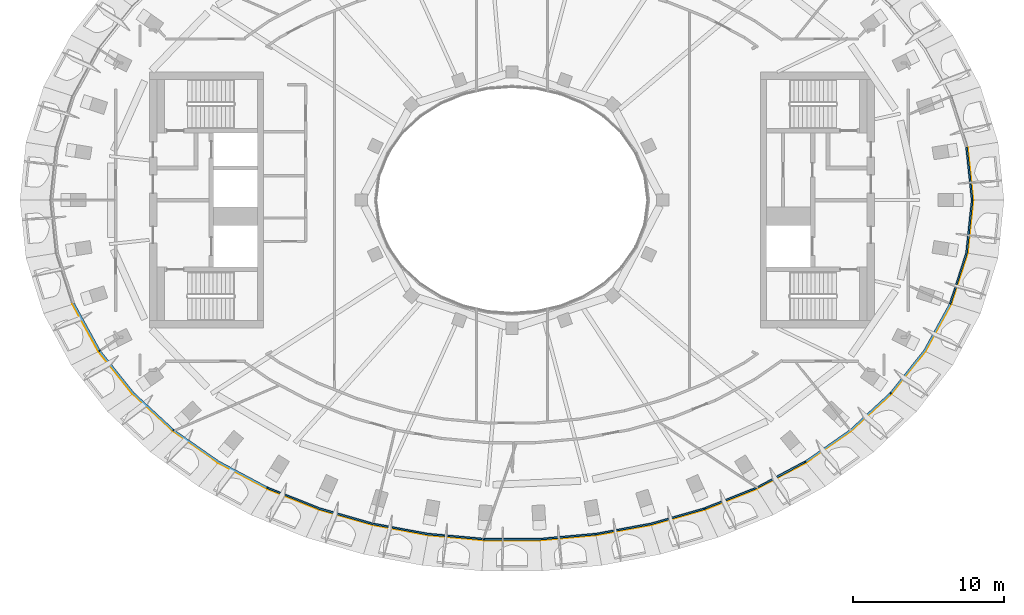
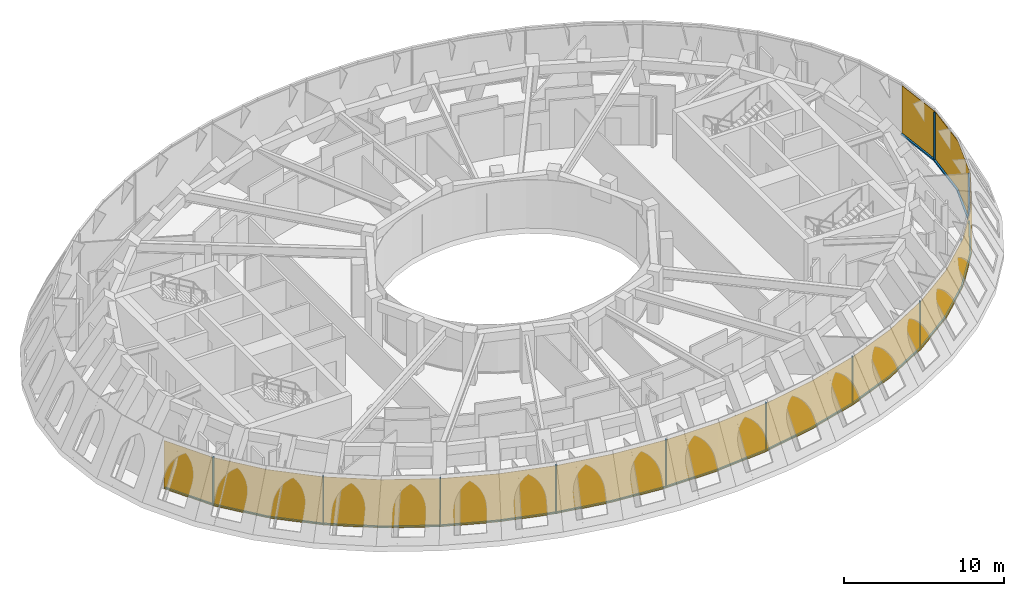
# One storey, part 9 of 13: 23 members, 1 curtain wall.
"""IFC4 building model written with IfcOpenShell, lengths in metres."""

from ifc_helpers import new_model, si_unit, direction, frame, origin, origin_2d, place, context, subcontext, project, spatial, polyline, rectangle, outline, extrude, material, layer, layer_set, material_profile, profile_set, type_object, element, aggregate, save


model = new_model("IFC4")

# Units and contexts
model_context = context("Model", 3, precision=1e-05, world=origin(), true_north=direction((0.0, 1.0)))
body_context = subcontext(model_context, "Body", "Model", "MODEL_VIEW")
ifc_project = project(units=[si_unit("LENGTHUNIT", "METRE"), si_unit("AREAUNIT", "SQUARE_METRE"), si_unit("VOLUMEUNIT", "CUBIC_METRE"), si_unit("PLANEANGLEUNIT", "RADIAN"), si_unit("MASSUNIT", "GRAM", prefix="KILO")], contexts=[model_context])

# Member
ifc_material_1 = material(Name="Aluminium 6063-T6 black anodised", Category="aluminium")
ifc_material_profile = material_profile(ifc_material_1, rectangle(XDim=0.1201171875, YDim=0.06005859375, at=origin_2d()), Name="120x60")
ifc_profile_set = profile_set([ifc_material_profile], Name="Aluminium 6063-T6 black anodised")
member_type_1 = type_object("IfcMemberType", Name="ENV-MULLION-H-120", PredefinedType="MULLION", material=ifc_profile_set)
site_placement = place(None, origin())
building_placement = place(site_placement, origin())
storey_placement = place(building_placement, frame((0.0, 0.0, 347.0)))
member_1_placement = place(storey_placement, frame((-27.377197265625, -10.00390625, 0.0), z_axis=(0.0, 0.0, 1.0), x_axis=(0.832258320098, 0.55438803074, 0.0)))
member_1 = element("IfcMember", 1, at=member_1_placement, type_object=member_type_1, Name="Mullion H radial 27", PredefinedType="MULLION", context=body_context, shape_type="SweptSolid", body=[
    extrude(rectangle(XDim=0.1201171875, YDim=0.06005859375, at=origin_2d()), origin(), (0.0, 0.0, 1.0), 3.699951171875),
])

member_2_placement = place(storey_placement, frame((-22.466064453125, -15.2783203125, 0.0), z_axis=(0.0, 0.0, 1.0), x_axis=(0.627226636309, 0.778836790801, 0.0)))
member_2 = element("IfcMember", 2, at=member_2_placement, type_object=member_type_1, Name="Mullion H radial 29", PredefinedType="MULLION", context=body_context, shape_type="SweptSolid", body=[
    extrude(rectangle(XDim=0.1201171875, YDim=0.06005859375, at=origin_2d()), origin(), (0.0, 0.0, 1.0), 3.699951171875),
])

member_3_placement = place(storey_placement, frame((-16.22509765625, -19.10498046875, 0.0), z_axis=(0.0, 0.0, 1.0), x_axis=(0.421378072232, 0.906885064516, 0.0)))
member_3 = element("IfcMember", 3, at=member_3_placement, type_object=member_type_1, Name="Mullion H radial 31", PredefinedType="MULLION", context=body_context, shape_type="SweptSolid", body=[
    extrude(rectangle(XDim=0.1201171875, YDim=0.06005859375, at=origin_2d()), origin(), (0.0, 0.0, 1.0), 3.699951171875),
])

member_4_placement = place(storey_placement, frame((-9.226806640625, -21.49560546875, 0.0), z_axis=(0.0, 0.0, 1.0), x_axis=(0.228510586418, 0.97354142793, 0.0)))
member_4 = element("IfcMember", 4, at=member_4_placement, type_object=member_type_1, Name="Mullion H radial 33", PredefinedType="MULLION", context=body_context, shape_type="SweptSolid", body=[
    extrude(rectangle(XDim=0.1201171875, YDim=0.06005859375, at=origin_2d()), origin(), (0.0, 0.0, 1.0), 3.699951171875),
])

member_5_placement = place(storey_placement, frame((-1.862548828125, -22.507080078125, 0.0), z_axis=(0.0, 0.0, 1.0), x_axis=(0.045196318723, 0.998978124272, 0.0)))
member_5 = element("IfcMember", 5, at=member_5_placement, type_object=member_type_1, Name="Mullion H radial 35", PredefinedType="MULLION", context=body_context, shape_type="SweptSolid", body=[
    extrude(rectangle(XDim=0.1201171875, YDim=0.06005859375, at=origin_2d()), origin(), (0.0, 0.0, 1.0), 3.699951171875),
])

member_6_placement = place(storey_placement, frame((5.570556640625, -22.1708984375, 0.0), z_axis=(0.0, 0.0, 1.0), x_axis=(-0.136098520291, 0.990695307738, 0.0)))
member_6 = element("IfcMember", 6, at=member_6_placement, type_object=member_type_1, Name="Mullion H radial 37", PredefinedType="MULLION", context=body_context, shape_type="SweptSolid", body=[
    extrude(rectangle(XDim=0.1201171875, YDim=0.06005859375, at=origin_2d()), origin(), (0.0, 0.0, 1.0), 3.699951171875),
])

member_7_placement = place(storey_placement, frame((12.79296875, -20.47607421875, 0.0), z_axis=(0.0, 0.0, 1.0), x_axis=(-0.323358589066, 0.946276504452, 0.0)))
member_7 = element("IfcMember", 7, at=member_7_placement, type_object=member_type_1, Name="Mullion H radial 39", PredefinedType="MULLION", context=body_context, shape_type="SweptSolid", body=[
    extrude(rectangle(XDim=0.1201171875, YDim=0.06005859375, at=origin_2d()), origin(), (0.0, 0.0, 1.0), 3.699951171875),
])

member_8_placement = place(storey_placement, frame((19.470703125, -17.37451171875, 0.0), z_axis=(0.0, 0.0, 1.0), x_axis=(-0.522870075085, 0.852412391147, 0.0)))
member_8 = element("IfcMember", 8, at=member_8_placement, type_object=member_type_1, Name="Mullion H radial 41", PredefinedType="MULLION", context=body_context, shape_type="SweptSolid", body=[
    extrude(rectangle(XDim=0.1201171875, YDim=0.06005859375, at=origin_2d()), origin(), (0.0, 0.0, 1.0), 3.699951171875),
])

member_9_placement = place(storey_placement, frame((25.1328125, -12.81689453125, 0.0), z_axis=(0.0, 0.0, 1.0), x_axis=(-0.732106020087, 0.6811907041, 0.0)))
member_9 = element("IfcMember", 9, at=member_9_placement, type_object=member_type_1, Name="Mullion H radial 43", PredefinedType="MULLION", context=body_context, shape_type="SweptSolid", body=[
    extrude(rectangle(XDim=0.1201171875, YDim=0.06005859375, at=origin_2d()), origin(), (0.0, 0.0, 1.0), 3.699951171875),
])

member_10_placement = place(storey_placement, frame((29.093505859375, -6.876220703125, 0.0), z_axis=(0.0, 0.0, 1.0), x_axis=(-0.91850908532, 0.39539987378, 0.0)))
member_10 = element("IfcMember", 10, at=member_10_placement, type_object=member_type_1, Name="Mullion H radial 45", PredefinedType="MULLION", context=body_context, shape_type="SweptSolid", body=[
    extrude(rectangle(XDim=0.1201171875, YDim=0.06005859375, at=origin_2d()), origin(), (0.0, 0.0, 1.0), 3.699951171875),
])

member_11_placement = place(storey_placement, frame((30.549072265625, 0.0, 0.0), z_axis=(0.0, 0.0, 1.0), x_axis=(-1.0, 0.0, 0.0)))
member_11 = element("IfcMember", 11, at=member_11_placement, type_object=member_type_1, Name="Mullion H radial 01", PredefinedType="MULLION", context=body_context, shape_type="SweptSolid", body=[
    extrude(rectangle(XDim=0.1201171875, YDim=0.06005859375, at=origin_2d()), origin(), (0.0, 0.0, 1.0), 3.699951171875),
])

ifc_material_2 = material(Name="Aluminium 6063-T6 black anodised", Category="aluminium")
member_type_2 = type_object("IfcMemberType", Name="ENV-TRANSOM-H", PredefinedType="USERDEFINED", material=ifc_material_2)
member_12_placement = place(storey_placement, origin())
member_12 = element("IfcMember", 12, at=member_12_placement, type_object=member_type_2, Name="Transom H radial 26-27", ObjectType="TRANSOM", PredefinedType="USERDEFINED", context=body_context, shape_type="SweptSolid", body=[
    extrude(outline(polyline([(-29.1484375, -6.89990234375), (-27.4404296875, -10.012451171875), (-27.340087890625, -9.94580078125), (-29.03759765625, -6.852294921875), (-29.1484375, -6.89990234375)])), origin(), (0.0, 0.0, 1.0), 0.10009765625),
])

member_13_placement = place(storey_placement, origin())
member_13 = element("IfcMember", 13, at=member_13_placement, type_object=member_type_2, Name="Transom H radial 27-29", ObjectType="TRANSOM", PredefinedType="USERDEFINED", context=body_context, shape_type="SweptSolid", body=[
    extrude(outline(polyline([(-27.409423828125, -10.058837890625), (-25.1767578125, -12.85791015625), (-22.524169921875, -15.30615234375), (-22.44873046875, -15.21240234375), (-25.088623046875, -12.77587890625), (-27.30908203125, -9.9921875), (-27.409423828125, -10.058837890625)])), origin(), (0.0, 0.0, 1.0), 0.10009765625),
])

member_14_placement = place(storey_placement, origin())
member_14 = element("IfcMember", 14, at=member_14_placement, type_object=member_type_2, Name="Transom H radial 29-31", ObjectType="TRANSOM", PredefinedType="USERDEFINED", context=body_context, shape_type="SweptSolid", body=[
    extrude(outline(polyline([(-22.480712890625, -15.341064453125), (-19.501953125, -17.425537109375), (-16.27490234375, -19.146240234375), (-16.224365234375, -19.037109375), (-19.439208984375, -17.322998046875), (-22.4052734375, -15.247314453125), (-22.480712890625, -15.341064453125)])), origin(), (0.0, 0.0, 1.0), 0.10009765625),
])

member_15_placement = place(storey_placement, origin())
member_15 = element("IfcMember", 15, at=member_15_placement, type_object=member_type_2, Name="Transom H radial 31-33", ObjectType="TRANSOM", PredefinedType="USERDEFINED", context=body_context, shape_type="SweptSolid", body=[
    extrude(outline(polyline([(-16.224365234375, -19.169677734375), (-12.812255859375, -20.53271484375), (-9.267578125, -21.54638671875), (-9.239990234375, -21.42919921875), (-12.7734375, -20.419189453125), (-16.173583984375, -19.060791015625), (-16.224365234375, -19.169677734375)])), origin(), (0.0, 0.0, 1.0), 0.10009765625),
])

member_16_placement = place(storey_placement, origin())
member_16 = element("IfcMember", 16, at=member_16_placement, type_object=member_type_2, Name="Transom H radial 33-35", ObjectType="TRANSOM", PredefinedType="USERDEFINED", context=body_context, shape_type="SweptSolid", body=[
    extrude(outline(polyline([(-9.212890625, -21.55908203125), (-5.578857421875, -22.230224609375), (-1.89306640625, -22.564453125), (-1.8876953125, -22.4443359375), (-5.5625, -22.111083984375), (-9.185546875, -21.442138671875), (-9.212890625, -21.55908203125)])), origin(), (0.0, 0.0, 1.0), 0.10009765625),
])

member_17_placement = place(storey_placement, origin())
member_17 = element("IfcMember", 17, at=member_17_placement, type_object=member_type_2, Name="Transom H radial 35-37", ObjectType="TRANSOM", PredefinedType="USERDEFINED", context=body_context, shape_type="SweptSolid", body=[
    extrude(outline(polyline([(-1.83740234375, -22.56689453125), (1.865234375, -22.56689453125), (5.55078125, -22.23291015625), (5.53466796875, -22.11376953125), (1.85986328125, -22.447021484375), (-1.831787109375, -22.447021484375), (-1.83740234375, -22.56689453125)])), origin(), (0.0, 0.0, 1.0), 0.10009765625),
])

member_18_placement = place(storey_placement, origin())
member_18 = element("IfcMember", 18, at=member_18_placement, type_object=member_type_2, Name="Transom H radial 37-39", ObjectType="TRANSOM", PredefinedType="USERDEFINED", context=body_context, shape_type="SweptSolid", body=[
    extrude(outline(polyline([(5.6064453125, -22.22509765625), (9.240478515625, -21.553955078125), (12.785400390625, -20.54052734375), (12.74658203125, -20.4267578125), (9.213134765625, -21.43701171875), (5.590087890625, -22.106201171875), (5.6064453125, -22.22509765625)])), origin(), (0.0, 0.0, 1.0), 0.10009765625),
])

member_19_placement = place(storey_placement, origin())
member_19 = element("IfcMember", 19, at=member_19_placement, type_object=member_type_2, Name="Transom H radial 39-41", ObjectType="TRANSOM", PredefinedType="USERDEFINED", context=body_context, shape_type="SweptSolid", body=[
    extrude(outline(polyline([(12.83837890625, -20.5224609375), (16.250244140625, -19.159423828125), (19.477294921875, -17.438720703125), (19.41455078125, -17.336181640625), (16.19970703125, -19.05029296875), (12.799560546875, -20.40869140625), (12.83837890625, -20.5224609375)])), origin(), (0.0, 0.0, 1.0), 0.10009765625),
])

member_20_placement = place(storey_placement, origin())
member_20 = element("IfcMember", 20, at=member_20_placement, type_object=member_type_2, Name="Transom H radial 41-43", ObjectType="TRANSOM", PredefinedType="USERDEFINED", context=body_context, shape_type="SweptSolid", body=[
    extrude(outline(polyline([(19.52490234375, -17.409423828125), (22.503662109375, -15.324951171875), (25.156005859375, -12.876708984375), (25.068115234375, -12.794921875), (22.42822265625, -15.2314453125), (19.462158203125, -17.306884765625), (19.52490234375, -17.409423828125)])), origin(), (0.0, 0.0, 1.0), 0.10009765625),
])

member_21_placement = place(storey_placement, origin())
member_21 = element("IfcMember", 21, at=member_21_placement, type_object=member_type_2, Name="Transom H radial 43-45", ObjectType="TRANSOM", PredefinedType="USERDEFINED", context=body_context, shape_type="SweptSolid", body=[
    extrude(outline(polyline([(25.194091796875, -12.8359375), (27.427001953125, -10.037109375), (29.135009765625, -6.924560546875), (29.024169921875, -6.876708984375), (27.32666015625, -9.97021484375), (25.10595703125, -12.75390625), (25.194091796875, -12.8359375)])), origin(), (0.0, 0.0, 1.0), 0.10009765625),
])

member_22_placement = place(storey_placement, origin())
member_22 = element("IfcMember", 22, at=member_22_placement, type_object=member_type_2, Name="Transom H radial 45-01", ObjectType="TRANSOM", PredefinedType="USERDEFINED", context=body_context, shape_type="SweptSolid", body=[
    extrude(outline(polyline([(29.156982421875, -6.873291015625), (30.236083984375, -3.517822265625), (30.60595703125, -0.02783203125), (30.485107421875, -0.02783203125), (30.117919921875, -3.492919921875), (29.04638671875, -6.82568359375), (29.156982421875, -6.873291015625)])), origin(), (0.0, 0.0, 1.0), 0.10009765625),
])

member_23_placement = place(storey_placement, origin())
member_23 = element("IfcMember", 23, at=member_23_placement, type_object=member_type_2, Name="Transom H radial 01-02", ObjectType="TRANSOM", PredefinedType="USERDEFINED", context=body_context, shape_type="SweptSolid", body=[
    extrude(outline(polyline([(30.60595703125, 0.02783203125), (30.236083984375, 3.517822265625), (30.117919921875, 3.492919921875), (30.485107421875, 0.02783203125), (30.60595703125, 0.02783203125)])), origin(), (0.0, 0.0, 1.0), 0.10009765625),
])

# Site, building, storey
site = spatial("IfcSite", under=ifc_project, at=site_placement, CompositionType="ELEMENT")
building = spatial("IfcBuilding", under=site, at=building_placement, Name="Noorbagh Ring Tower", CompositionType="ELEMENT")
storey = spatial("IfcBuildingStorey", under=building, at=storey_placement, Name="L76", CompositionType="ELEMENT", Elevation=347.0)

# Curtain wall
ifc_material_3 = material(Name="Glass dark tinted laminated", Category="glass")
ifc_layer = layer(ifc_material_3, 0.031982421875)
ifc_layer_set = layer_set([ifc_layer], Name="Glass dark tinted laminated")
curtain_wall_type = type_object("IfcCurtainWallType", Name="ENV-CW-H", PredefinedType="NOTDEFINED", material=ifc_layer_set)
curtain_wall_placement = place(storey_placement, origin())
curtain_wall = element("IfcCurtainWall", 24, at=curtain_wall_placement, inside=storey, type_object=curtain_wall_type, Name="Curtain wall H R26", PredefinedType="NOTDEFINED", context=body_context, shape_type="SweptSolid", body=[
    extrude(outline(polyline([(-29.177978515625, -6.91259765625), (-27.45361328125, -10.0546875), (-25.2001953125, -12.879638671875), (-22.523681640625, -15.35009765625), (-19.518798828125, -17.452880859375), (-16.263916015625, -19.1884765625), (-12.82275390625, -20.56298828125), (-9.247802734375, -21.585205078125), (-5.583251953125, -22.261962890625), (-1.86669921875, -22.59912109375), (1.86669921875, -22.59912109375), (5.583251953125, -22.261962890625), (9.247802734375, -21.585205078125), (12.82275390625, -20.56298828125), (16.263916015625, -19.1884765625), (19.518798828125, -17.452880859375), (22.523681640625, -15.35009765625), (25.2001953125, -12.879638671875), (27.45361328125, -10.0546875), (29.177978515625, -6.91259765625), (30.267578125, -3.5244140625), (30.64111328125, 0.0), (30.267578125, 3.5244140625), (30.236083984375, 3.517822265625), (30.60888671875, 0.0), (30.236083984375, -3.517822265625), (29.1484375, -6.89990234375), (27.427001953125, -10.037109375), (25.1767578125, -12.85791015625), (22.503662109375, -15.324951171875), (19.501953125, -17.425537109375), (16.250244140625, -19.159423828125), (12.812255859375, -20.53271484375), (9.240478515625, -21.553955078125), (5.578857421875, -22.230224609375), (1.865234375, -22.56689453125), (-1.865234375, -22.56689453125), (-5.578857421875, -22.230224609375), (-9.240478515625, -21.553955078125), (-12.812255859375, -20.53271484375), (-16.250244140625, -19.159423828125), (-19.501953125, -17.425537109375), (-22.503662109375, -15.324951171875), (-25.1767578125, -12.85791015625), (-27.427001953125, -10.037109375), (-29.1484375, -6.89990234375), (-29.177978515625, -6.91259765625)])), origin(), (0.0, 0.0, 1.0), 3.699951171875),
])

aggregate(curtain_wall, [member_1, member_2, member_3, member_4, member_5, member_6, member_7, member_8, member_9, member_10, member_11, member_12, member_13, member_14, member_15, member_16, member_17, member_18, member_19, member_20, member_21, member_22, member_23])

save(model, "model.ifc")
